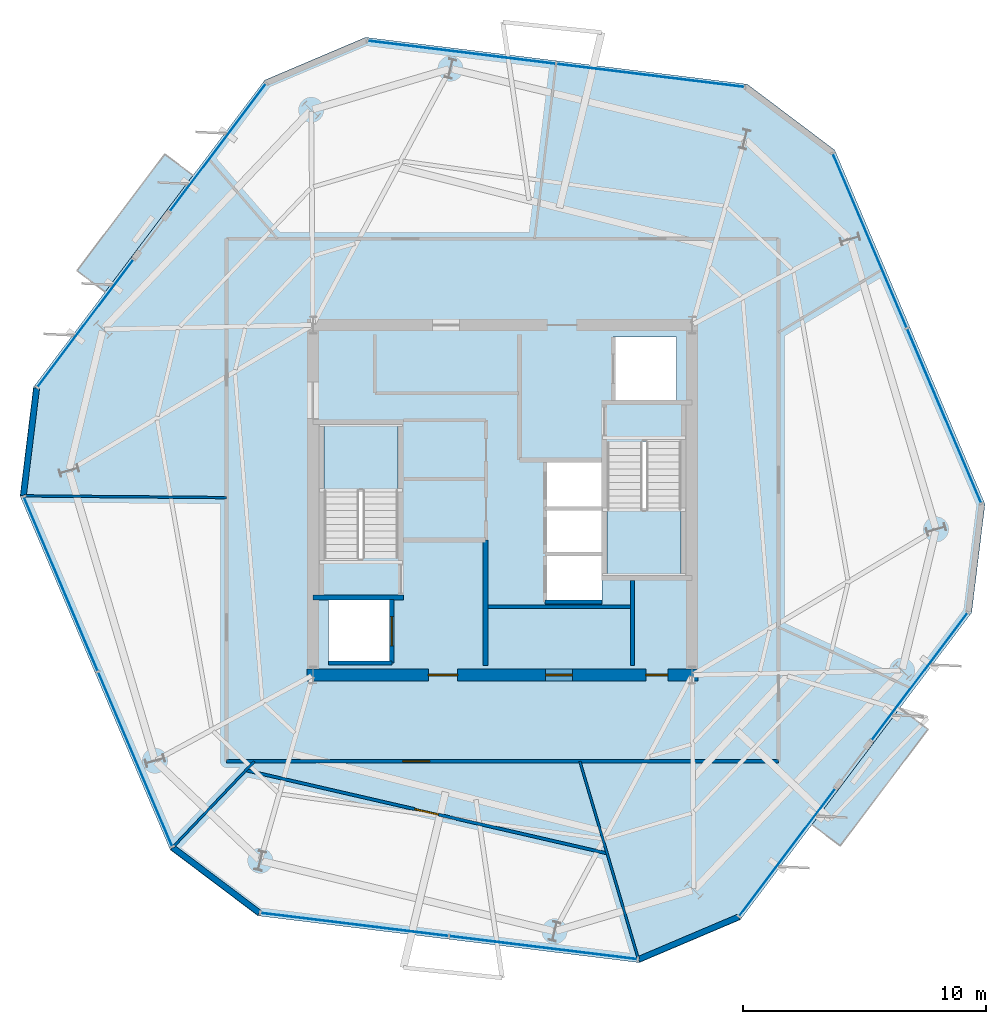
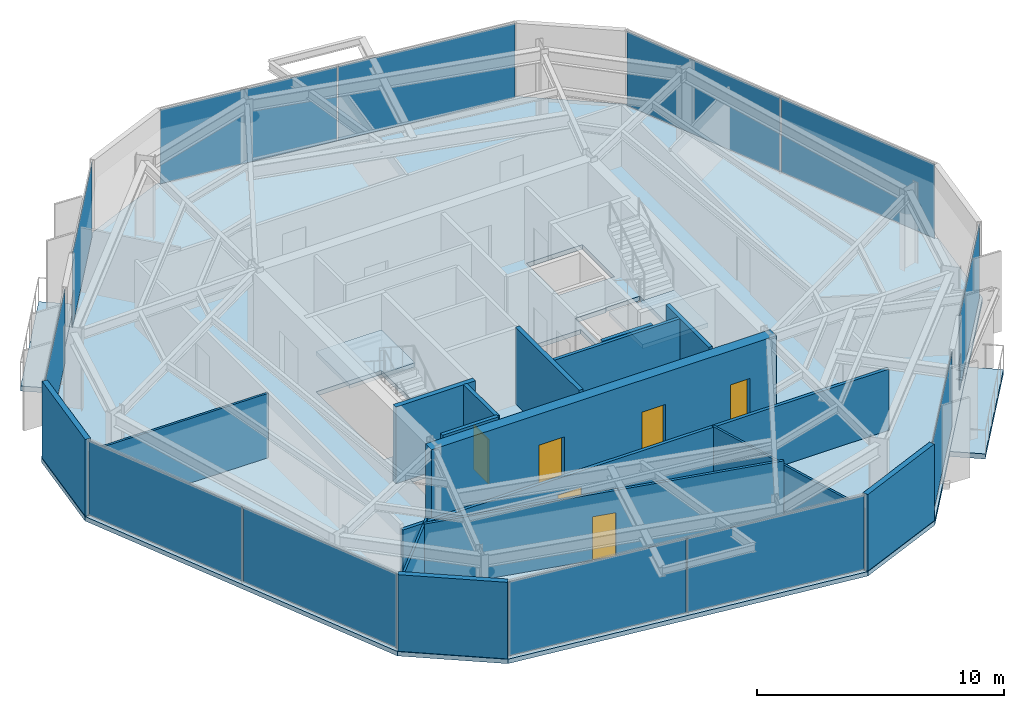
# One storey, part 7 of 12: 16 walls, 12 plates, 6 doors, 5 slabs, 6 openings, 10 elements without a shape of their own.
"""IFC4 building model written with IfcOpenShell, lengths in metres."""

from ifc_helpers import new_model, si_unit, direction, frame, frame_2d, origin, origin_2d, place, context, subcontext, project, spatial, polyline, rectangle, outline, extrude, material, layer, layer_set, type_object, element, fill, aggregate, save


model = new_model("IFC4")

# Units and contexts
model_context = context("Model", 3, precision=1e-05, world=origin(), true_north=direction((0.0, 1.0)))
body_context = subcontext(model_context, "Body", "Model", "MODEL_VIEW")
ifc_project = project(units=[si_unit("LENGTHUNIT", "METRE"), si_unit("AREAUNIT", "SQUARE_METRE"), si_unit("VOLUMEUNIT", "CUBIC_METRE"), si_unit("PLANEANGLEUNIT", "RADIAN"), si_unit("MASSUNIT", "GRAM", prefix="KILO")], contexts=[model_context])

# Site, building, storey
site_placement = place(None, origin())
site = spatial("IfcSite", under=ifc_project, at=site_placement, CompositionType="ELEMENT")
building_placement = place(site_placement, origin())
building = spatial("IfcBuilding", under=site, at=building_placement, Name="Kranzbogen Civic Tower", CompositionType="ELEMENT")
storey_placement = place(building_placement, frame((0.0, 0.0, 236.800048828125)))
storey = spatial("IfcBuildingStorey", under=building, at=storey_placement, Name="L57", CompositionType="ELEMENT", Elevation=236.800048828125)

# Slab
ifc_material_1 = material(Name="Concrete C40/50", Category="concrete")
ifc_layer_1 = layer(ifc_material_1, 0.219970703125, Name="Concrete C40/50")
ifc_layer_set_1 = layer_set([ifc_layer_1], Name="Concrete C40/50")
slab_type_1 = type_object("IfcSlabType", Name="Composite Upper Tower Floor Slab 220 mm", PredefinedType="FLOOR", material=ifc_layer_set_1)
slab_1_placement = place(storey_placement, frame((0.0, 0.0, -0.219970703125)))
element("IfcSlab", 1, at=slab_1_placement, inside=storey, type_object=slab_type_1, Name="L57 tower floor slab", PredefinedType="FLOOR", context=body_context, shape_type="SweptSolid", body=[
    extrude(outline(polyline([(35.069091796875, 42.10009765625), (19.366943359375, 44.028076171875), (15.22509765625, 42.27001953125), (5.705078125, 29.635986328125), (5.156005859375, 25.169921875), (11.3369140625, 10.60791015625), (14.930908203125, 7.89990234375), (30.633056640625, 5.971923828125), (34.77490234375, 7.72998046875), (44.294921875, 20.364013671875), (44.843994140625, 24.830078125), (38.6630859375, 39.39208984375), (35.069091796875, 42.10009765625)]), holes=[polyline([(17.85009765625, 20.89990234375), (20.449951171875, 20.89990234375), (20.449951171875, 18.300048828125), (17.85009765625, 18.300048828125), (17.85009765625, 20.89990234375)]), polyline([(29.10009765625, 22.699951171875), (29.10009765625, 20.800048828125), (26.75, 20.800048828125), (26.75, 22.699951171875), (29.10009765625, 22.699951171875)]), polyline([(29.10009765625, 24.64990234375), (29.10009765625, 22.77490234375), (26.75, 22.77490234375), (26.75, 24.64990234375), (26.75, 24.675048828125), (26.75, 26.550048828125), (29.10009765625, 26.550048828125), (29.10009765625, 24.675048828125), (29.10009765625, 24.64990234375)]), polyline([(29.300048828125, 27.340087890625), (30.75, 27.340087890625), (30.75, 27.39990234375), (32.35009765625, 27.39990234375), (32.35009765625, 21.89990234375), (29.300048828125, 21.89990234375), (29.300048828125, 27.340087890625)]), polyline([(20.699951171875, 22.659912109375), (19.25, 22.659912109375), (19.25, 22.60009765625), (17.64990234375, 22.60009765625), (17.64990234375, 28.10009765625), (20.699951171875, 28.10009765625), (20.699951171875, 22.659912109375)]), polyline([(32.14990234375, 31.699951171875), (32.14990234375, 29.10009765625), (29.550048828125, 29.10009765625), (29.550048828125, 31.699951171875), (32.14990234375, 31.699951171875)])]), origin(), (0.0, 0.0, 1.0), 0.219970703125),
])

# Curtain wall, plates
ifc_material_2 = material(Name="Pale Anodised Aluminium", Category="aluminium")
ifc_layer_2 = layer(ifc_material_2, 0.219970703125, Name="Pale Anodised Aluminium")
ifc_layer_set_2 = layer_set([ifc_layer_2], Name="Pale Anodised Aluminium")
curtain_wall_type = type_object("IfcCurtainWallType", Name="Zone 3 Stick Curtain Wall System CW-04", PredefinedType="USERDEFINED", material=ifc_layer_set_2)
curtain_wall_1_placement = place(storey_placement, origin())
curtain_wall_1 = element("IfcCurtainWall", 2, at=curtain_wall_1_placement, inside=storey, type_object=curtain_wall_type, Name="L57 curtain wall CW-L57-F1", ObjectType="STICK CURTAIN WALL", PredefinedType="USERDEFINED")
ifc_material_3 = material(Name="Low-E Triple Glazing Glass", Category="glass")
ifc_layer_3 = layer(ifc_material_3, 0.030029296875, Name="Low-E Triple Glazing Glass")
ifc_layer_set_3 = layer_set([ifc_layer_3], Name="Low-E Triple Glazing Glass")
plate_type = type_object("IfcPlateType", Name="Insulated Low-E Glazing Panel 30 mm", PredefinedType="CURTAIN_PANEL", material=ifc_layer_set_3)
plate_1_placement = place(storey_placement, frame((31.08544921875, 42.45947265625, 0.06005859375), z_axis=(0.0, 0.0, 1.0), x_axis=(-0.992541022906, 0.121911106341, 0.0)))
plate_1 = element("IfcPlate", 3, at=plate_1_placement, type_object=plate_type, Name="CW-04 panel 1.1", PredefinedType="CURTAIN_PANEL", context=body_context, shape_type="SweptSolid", body=[
    extrude(rectangle(XDim=7.76416015625, YDim=0.028076171875, at=origin_2d()), origin(), (0.0, 0.0, 1.0), 3.659912109375),
])
plate_2_placement = place(storey_placement, frame((23.319580078125, 43.413330078125, 0.06005859375), z_axis=(0.0, 0.0, 1.0), x_axis=(-0.992541022906, 0.121911106341, 0.0)))
plate_2 = element("IfcPlate", 4, at=plate_2_placement, type_object=plate_type, Name="CW-04 panel 2.1", PredefinedType="CURTAIN_PANEL", context=body_context, shape_type="SweptSolid", body=[
    extrude(rectangle(XDim=7.76416015625, YDim=0.028076171875, at=origin_2d()), origin(), (0.0, 0.0, 1.0), 3.659912109375),
])
aggregate(curtain_wall_1, [plate_1, plate_2])

# Curtain wall, plate
curtain_wall_2_placement = place(storey_placement, origin())
curtain_wall_2 = element("IfcCurtainWall", 5, at=curtain_wall_2_placement, inside=storey, type_object=curtain_wall_type, Name="L57 curtain wall CW-L57-F2-S1", ObjectType="STICK CURTAIN WALL", PredefinedType="USERDEFINED")
plate_3_placement = place(storey_placement, frame((13.2919921875, 39.490966796875, 0.06005859375), z_axis=(0.0, 0.0, 1.0), x_axis=(-0.601777999064, -0.798663408353, 0.0)))
plate_3 = element("IfcPlate", 6, at=plate_3_placement, type_object=plate_type, Name="CW-04 panel 1.1", PredefinedType="CURTAIN_PANEL", context=body_context, shape_type="SweptSolid", body=[
    extrude(rectangle(XDim=6.53369140625, YDim=0.028076171875, at=origin_2d()), origin(), (0.0, 0.0, 1.0), 3.659912109375),
])
aggregate(curtain_wall_2, [plate_3])

curtain_wall_3_placement = place(storey_placement, origin())
curtain_wall_3 = element("IfcCurtainWall", 7, at=curtain_wall_3_placement, inside=storey, type_object=curtain_wall_type, Name="L57 curtain wall CW-L57-F2-S2", ObjectType="STICK CURTAIN WALL", PredefinedType="USERDEFINED")
plate_4_placement = place(storey_placement, frame((7.843017578125, 32.260009765625, 0.06005859375), z_axis=(0.0, 0.0, 1.0), x_axis=(-0.601777999064, -0.798663408353, 0.0)))
plate_4 = element("IfcPlate", 8, at=plate_4_placement, type_object=plate_type, Name="CW-04 panel 1.1", PredefinedType="CURTAIN_PANEL", context=body_context, shape_type="SweptSolid", body=[
    extrude(rectangle(XDim=6.53369140625, YDim=0.028076171875, at=origin_2d()), origin(), (0.0, 0.0, 1.0), 3.659912109375),
])
aggregate(curtain_wall_3, [plate_4])

# Curtain wall, plates
curtain_wall_4_placement = place(storey_placement, origin())
curtain_wall_4 = element("IfcCurtainWall", 9, at=curtain_wall_4_placement, inside=storey, type_object=curtain_wall_type, Name="L57 curtain wall CW-L57-F3", ObjectType="STICK CURTAIN WALL", PredefinedType="USERDEFINED")
plate_5_placement = place(storey_placement, frame((6.836181640625, 21.54052734375, 0.06005859375), z_axis=(0.0, 0.0, 1.0), x_axis=(0.390705161325, -0.920515875428, 0.0)))
plate_5 = element("IfcPlate", 10, at=plate_5_placement, type_object=plate_type, Name="CW-04 panel 1.1", PredefinedType="CURTAIN_PANEL", context=body_context, shape_type="SweptSolid", body=[
    extrude(rectangle(XDim=7.763671875, YDim=0.028076171875, at=origin_2d()), origin(), (0.0, 0.0, 1.0), 3.659912109375),
])
plate_6_placement = place(storey_placement, frame((9.892822265625, 14.338623046875, 0.06005859375), z_axis=(0.0, 0.0, 1.0), x_axis=(0.390705161325, -0.920515875428, 0.0)))
plate_6 = element("IfcPlate", 11, at=plate_6_placement, type_object=plate_type, Name="CW-04 panel 2.1", PredefinedType="CURTAIN_PANEL", context=body_context, shape_type="SweptSolid", body=[
    extrude(rectangle(XDim=7.763671875, YDim=0.028076171875, at=origin_2d()), origin(), (0.0, 0.0, 1.0), 3.659912109375),
])
aggregate(curtain_wall_4, [plate_5, plate_6])

curtain_wall_5_placement = place(storey_placement, origin())
curtain_wall_5 = element("IfcCurtainWall", 12, at=curtain_wall_5_placement, inside=storey, type_object=curtain_wall_type, Name="L57 curtain wall CW-L57-F4", ObjectType="STICK CURTAIN WALL", PredefinedType="USERDEFINED")
plate_7_placement = place(storey_placement, frame((18.91455078125, 7.54052734375, 0.06005859375), z_axis=(0.0, 0.0, 1.0), x_axis=(0.992541022906, -0.121911106341, 0.0)))
plate_7 = element("IfcPlate", 13, at=plate_7_placement, type_object=plate_type, Name="CW-04 panel 1.1", PredefinedType="CURTAIN_PANEL", context=body_context, shape_type="SweptSolid", body=[
    extrude(rectangle(XDim=7.76416015625, YDim=0.028076171875, at=origin_2d()), origin(), (0.0, 0.0, 1.0), 3.659912109375),
])
plate_8_placement = place(storey_placement, frame((26.680419921875, 6.586669921875, 0.06005859375), z_axis=(0.0, 0.0, 1.0), x_axis=(0.992541022906, -0.121911106341, 0.0)))
plate_8 = element("IfcPlate", 14, at=plate_8_placement, type_object=plate_type, Name="CW-04 panel 2.1", PredefinedType="CURTAIN_PANEL", context=body_context, shape_type="SweptSolid", body=[
    extrude(rectangle(XDim=7.76416015625, YDim=0.028076171875, at=origin_2d()), origin(), (0.0, 0.0, 1.0), 3.659912109375),
])
aggregate(curtain_wall_5, [plate_7, plate_8])

# Curtain wall, plate
curtain_wall_6_placement = place(storey_placement, origin())
curtain_wall_6 = element("IfcCurtainWall", 15, at=curtain_wall_6_placement, inside=storey, type_object=curtain_wall_type, Name="L57 curtain wall CW-L57-F5-S1", ObjectType="STICK CURTAIN WALL", PredefinedType="USERDEFINED")
plate_9_placement = place(storey_placement, frame((36.7080078125, 10.509033203125, 0.06005859375), z_axis=(0.0, 0.0, 1.0), x_axis=(0.601777999064, 0.798663408353, 0.0)))
plate_9 = element("IfcPlate", 16, at=plate_9_placement, type_object=plate_type, Name="CW-04 panel 1.1", PredefinedType="CURTAIN_PANEL", context=body_context, shape_type="SweptSolid", body=[
    extrude(rectangle(XDim=6.53369140625, YDim=0.028076171875, at=origin_2d()), origin(), (0.0, 0.0, 1.0), 3.659912109375),
])
aggregate(curtain_wall_6, [plate_9])

curtain_wall_7_placement = place(storey_placement, origin())
curtain_wall_7 = element("IfcCurtainWall", 17, at=curtain_wall_7_placement, inside=storey, type_object=curtain_wall_type, Name="L57 curtain wall CW-L57-F5-S2", ObjectType="STICK CURTAIN WALL", PredefinedType="USERDEFINED")
plate_10_placement = place(storey_placement, frame((42.156982421875, 17.739990234375, 0.06005859375), z_axis=(0.0, 0.0, 1.0), x_axis=(0.601777999064, 0.798663408353, 0.0)))
plate_10 = element("IfcPlate", 18, at=plate_10_placement, type_object=plate_type, Name="CW-04 panel 1.1", PredefinedType="CURTAIN_PANEL", context=body_context, shape_type="SweptSolid", body=[
    extrude(rectangle(XDim=6.53369140625, YDim=0.028076171875, at=origin_2d()), origin(), (0.0, 0.0, 1.0), 3.659912109375),
])
aggregate(curtain_wall_7, [plate_10])

# Curtain wall, plates
curtain_wall_8_placement = place(storey_placement, origin())
curtain_wall_8 = element("IfcCurtainWall", 19, at=curtain_wall_8_placement, inside=storey, type_object=curtain_wall_type, Name="L57 curtain wall CW-L57-F6", ObjectType="STICK CURTAIN WALL", PredefinedType="USERDEFINED")
plate_11_placement = place(storey_placement, frame((43.163818359375, 28.45947265625, 0.06005859375), z_axis=(0.0, 0.0, 1.0), x_axis=(-0.390705161325, 0.920515875428, 0.0)))
plate_11 = element("IfcPlate", 20, at=plate_11_placement, type_object=plate_type, Name="CW-04 panel 1.1", PredefinedType="CURTAIN_PANEL", context=body_context, shape_type="SweptSolid", body=[
    extrude(rectangle(XDim=7.763671875, YDim=0.028076171875, at=origin_2d()), origin(), (0.0, 0.0, 1.0), 3.659912109375),
])
plate_12_placement = place(storey_placement, frame((40.107177734375, 35.661376953125, 0.06005859375), z_axis=(0.0, 0.0, 1.0), x_axis=(-0.390705161325, 0.920515875428, 0.0)))
plate_12 = element("IfcPlate", 21, at=plate_12_placement, type_object=plate_type, Name="CW-04 panel 2.1", PredefinedType="CURTAIN_PANEL", context=body_context, shape_type="SweptSolid", body=[
    extrude(rectangle(XDim=7.763671875, YDim=0.028076171875, at=origin_2d()), origin(), (0.0, 0.0, 1.0), 3.659912109375),
])
aggregate(curtain_wall_8, [plate_11, plate_12])

# Stair, slab
ifc_material_4 = material(Name="Precast concrete C40/50", Category="concrete")
stair_type_1 = type_object("IfcStairType", Name="Tower Core Pressurized Dogleg Stair 1450", PredefinedType="HALF_TURN_STAIR", material=ifc_material_4)
stair_1_placement = place(storey_placement, origin())
stair_1 = element("IfcStair", 22, at=stair_1_placement, inside=storey, type_object=stair_type_1, Name="L57 Tower Core Pressurized Stair 1", PredefinedType="HALF_TURN_STAIR")
ifc_layer_4 = layer(ifc_material_4, 0.199951171875, Name="Precast concrete C40/50")
ifc_layer_set_4 = layer_set([ifc_layer_4], Name="Precast concrete C40/50")
slab_type_2 = type_object("IfcSlabType", Name="Precast Concrete Stair Landing Slab 200 mm", PredefinedType="LANDING", material=ifc_layer_set_4)
slab_2_placement = place(storey_placement, frame((0.0, 0.0, 1.800048828125)))
slab_2 = element("IfcSlab", 23, at=slab_2_placement, type_object=slab_type_2, Name="ST-T1 landing 1", PredefinedType="LANDING", context=body_context, shape_type="SweptSolid", body=[
    extrude(outline(polyline([(20.699951171875, 25.39990234375), (20.699951171875, 28.10009765625), (17.64990234375, 28.10009765625), (17.64990234375, 25.39990234375), (20.699951171875, 25.39990234375)])), origin(), (0.0, 0.0, 1.0), 0.199951171875),
])
aggregate(stair_1, [slab_2])

stair_type_2 = type_object("IfcStairType", Name="Tower Core Secondary Dogleg Stair 1450", PredefinedType="HALF_TURN_STAIR", material=ifc_material_4)
stair_2_placement = place(storey_placement, origin())
stair_2 = element("IfcStair", 24, at=stair_2_placement, inside=storey, type_object=stair_type_2, Name="L57 Tower Core Pressurized Stair 2", PredefinedType="HALF_TURN_STAIR")
slab_3_placement = place(storey_placement, frame((0.0, 0.0, 1.800048828125)))
slab_3 = element("IfcSlab", 25, at=slab_3_placement, type_object=slab_type_2, Name="ST-T2 landing 1", PredefinedType="LANDING", context=body_context, shape_type="SweptSolid", body=[
    extrude(outline(polyline([(29.300048828125, 24.60009765625), (29.300048828125, 21.89990234375), (32.35009765625, 21.89990234375), (32.35009765625, 24.60009765625), (29.300048828125, 24.60009765625)])), origin(), (0.0, 0.0, 1.0), 0.199951171875),
])
aggregate(stair_2, [slab_3])

# Slabs
ifc_layer_5 = layer(ifc_material_1, 0.25, Name="Concrete C40/50")
ifc_layer_set_5 = layer_set([ifc_layer_5], Name="Concrete C40/50")
slab_type_3 = type_object("IfcSlabType", Name="Tree Balcony Cantilevered Slab 250 mm", PredefinedType="FLOOR", material=ifc_layer_set_5)
slab_4_placement = place(storey_placement, frame((0.0, 0.0, -0.25)))
element("IfcSlab", 26, at=slab_4_placement, inside=storey, type_object=slab_type_3, Name="L57 cantilevered tree balcony L57-TB1", PredefinedType="FLOOR", context=body_context, shape_type="SweptSolid", body=[
    extrude(outline(polyline([(12.27001953125, 38.34912109375), (8.658935546875, 33.556884765625), (7.5009765625, 34.429931640625), (11.112060546875, 39.221923828125), (12.27001953125, 38.34912109375)])), origin(), (0.0, 0.0, 1.0), 0.25),
])
slab_5_placement = place(storey_placement, frame((0.0, 0.0, -0.25)))
element("IfcSlab", 27, at=slab_5_placement, inside=storey, type_object=slab_type_3, Name="L57 cantilevered tree balcony L57-TB2", PredefinedType="FLOOR", context=body_context, shape_type="SweptSolid", body=[
    extrude(outline(polyline([(37.72998046875, 11.65087890625), (41.341064453125, 16.443115234375), (42.4990234375, 15.570068359375), (38.887939453125, 10.778076171875), (37.72998046875, 11.65087890625)])), origin(), (0.0, 0.0, 1.0), 0.25),
])

# Wall
ifc_material_5 = material(Name="Double-Stud Acoustic Gypsum Partition")
ifc_layer_6 = layer(ifc_material_5, 0.14990234375, Name="Double-Stud Acoustic Gypsum Partition")
ifc_layer_set_6 = layer_set([ifc_layer_6], Name="Double-Stud Acoustic Gypsum Partition")
wall_type_1 = type_object("IfcWallType", Name="Acoustic Corridor and Clinical Partition 150 mm", PredefinedType="PARTITIONING", material=ifc_layer_set_6)
wall_1_placement = place(storey_placement, frame((24.39990234375, 20.610107421875, 0.0), z_axis=(0.0, 0.0, 1.0), x_axis=(1.0, 0.0, 0.0)))
element("IfcWall", 28, at=wall_1_placement, inside=storey, type_object=wall_type_1, Name="L57 records zone North wall", PredefinedType="PARTITIONING", context=body_context, shape_type="SweptSolid", body=[
    extrude(rectangle(XDim=5.900146484375, YDim=0.14990234375, at=frame_2d((2.9501953125, 0.0))), origin(), (0.0, 0.0, 1.0), 3.780029296875),
])

# Wall, opening, door
wall_2_placement = place(storey_placement, frame((36.35009765625, 14.25, 0.0), z_axis=(0.0, 0.0, 1.0), x_axis=(-1.0, 0.0, 0.0)))
wall_2 = element("IfcWall", 29, at=wall_2_placement, inside=storey, type_object=wall_type_1, Name="L57 corridor partition 03", PredefinedType="PARTITIONING", context=body_context, shape_type="SweptSolid", body=[
    extrude(rectangle(XDim=22.7001953125, YDim=0.14990234375, at=frame_2d((11.35009765625, 0.0))), origin(), (0.0, 0.0, 1.0), 3.02001953125),
])
opening_1_placement = place(wall_2_placement, frame((14.347900390625, 0.0, 0.0)))
opening_1 = element("IfcOpeningElement", 30, at=opening_1_placement, cuts=wall_2, Name="Opening D-COR60", PredefinedType="OPENING", context=body_context, shape_type="SweptSolid", body=[
    extrude(rectangle(XDim=1.10009765625, YDim=2.199951171875, at=frame_2d((0.550048828125, 1.10009765625))), frame((0.0, 0.0849609375, 0.0), z_axis=(0.0, -1.0, 0.0), x_axis=(1.0, 0.0, 0.0)), (0.0, 0.0, 1.0), 0.169921875),
])
ifc_material_6 = material(Name="Oak Timber and Fire Core", Category="wood")
door_type_1 = type_object("IfcDoorType", Name="Corridor Acoustic Fire Door 1100x2200", OperationType="NOTDEFINED", PredefinedType="DOOR", material=ifc_material_6)
door_1_placement = place(opening_1_placement, origin())
door_1 = element("IfcDoor", 31, at=door_1_placement, inside=storey, type_object=door_type_1, Name="L57 Executive Research Study door", OperationType="SINGLE_SWING_RIGHT", OverallHeight=2.199951171875, OverallWidth=1.10009765625, PredefinedType="DOOR", context=body_context, shape_type="SweptSolid", body=[
    extrude(rectangle(XDim=1.10009765625, YDim=2.199951171875, at=frame_2d((0.550048828125, 1.10009765625))), frame((0.0, 0.02490234375, 0.0), z_axis=(0.0, -1.0, 0.0), x_axis=(1.0, 0.0, 0.0)), (0.0, 0.0, 1.0), 0.050048828125),
])
fill(opening_1, door_1)

ifc_material_7 = material(Name="Insulated Metal-Stud Gypsum Partition")
ifc_layer_7 = layer(ifc_material_7, 0.125, Name="Insulated Metal-Stud Gypsum Partition")
ifc_layer_set_7 = layer_set([ifc_layer_7], Name="Insulated Metal-Stud Gypsum Partition")
wall_type_2 = type_object("IfcWallType", Name="Acoustic Inter-Room Partition 125 mm", PredefinedType="PARTITIONING", material=ifc_layer_set_7)
wall_3_placement = place(storey_placement, frame((14.462890625, 13.87890625, 0.0), z_axis=(0.0, 0.0, 1.0), x_axis=(0.974546244814, -0.224186566768, 0.0)))
wall_3 = element("IfcWall", 32, at=wall_3_placement, inside=storey, type_object=wall_type_2, Name="L57 suite chord partition 01", PredefinedType="PARTITIONING", context=body_context, shape_type="SweptSolid", body=[
    extrude(rectangle(XDim=15.210205078125, YDim=0.125, at=frame_2d((7.60498046875, 0.0))), origin(), (0.0, 0.0, 1.0), 3.25),
])
opening_2_placement = place(wall_3_placement, frame((7.10498046875, 0.0, 0.0)))
opening_2 = element("IfcOpeningElement", 33, at=opening_2_placement, cuts=wall_3, Name="Opening D-OFC10", PredefinedType="OPENING", context=body_context, shape_type="SweptSolid", body=[
    extrude(rectangle(XDim=1.0, YDim=2.14990234375, at=frame_2d((0.5, 1.074951171875))), frame((0.0, 0.072509765625, 0.0), z_axis=(0.0, -1.0, 0.0), x_axis=(1.0, 0.0, 0.0)), (0.0, 0.0, 1.0), 0.14501953125),
])
ifc_material_8 = material(Name="Oak Timber Veneer", Category="wood")
door_type_2 = type_object("IfcDoorType", Name="Standard Office Acoustic Door 1000x2150", OperationType="NOTDEFINED", PredefinedType="DOOR", material=ifc_material_8)
door_2_placement = place(opening_2_placement, origin())
door_2 = element("IfcDoor", 34, at=door_2_placement, inside=storey, type_object=door_type_2, Name="L57 Protocol Dining Room door", OperationType="SINGLE_SWING_LEFT", OverallHeight=2.14990234375, OverallWidth=1.0, PredefinedType="DOOR", context=body_context, shape_type="SweptSolid", body=[
    extrude(rectangle(XDim=1.0, YDim=2.14990234375, at=frame_2d((0.5, 1.074951171875))), frame((0.0, 0.02490234375, 0.0), z_axis=(0.0, -1.0, 0.0), x_axis=(1.0, 0.0, 0.0)), (0.0, 0.0, 1.0), 0.050048828125),
])
fill(opening_2, door_2)

# Wall, openings, doors
ifc_material_9 = material(Name="Concrete C45/55", Category="concrete")
ifc_layer_8 = layer(ifc_material_9, 0.5, Name="Concrete C45/55")
ifc_layer_set_8 = layer_set([ifc_layer_8], Name="Concrete C45/55")
wall_type_3 = type_object("IfcWallType", Name="Central Core Shear Wall 500 mm", PredefinedType="SHEAR", material=ifc_layer_set_8)
wall_4_placement = place(storey_placement, frame((16.949951171875, 17.800048828125, 0.0), z_axis=(0.0, 0.0, 1.0), x_axis=(1.0, 0.0, 0.0)))
wall_4 = element("IfcWall", 35, at=wall_4_placement, inside=storey, type_object=wall_type_3, Name="L57 central core South shear wall", PredefinedType="SHEAR", context=body_context, shape_type="SweptSolid", body=[
    extrude(rectangle(XDim=16.10009765625, YDim=0.5, at=frame_2d((8.050048828125, 0.0))), origin(), (0.0, 0.0, 1.0), 3.780029296875),
])
opening_3_placement = place(wall_4_placement, frame((5.0, 0.0, 0.0)))
opening_3 = element("IfcOpeningElement", 36, at=opening_3_placement, cuts=wall_4, Name="Opening D-EX120", PredefinedType="OPENING", context=body_context, shape_type="SweptSolid", body=[
    extrude(rectangle(XDim=1.199951171875, YDim=2.25, at=frame_2d((0.60009765625, 1.125))), frame((0.0, 0.260009765625, 0.0), z_axis=(0.0, -1.0, 0.0), x_axis=(1.0, 0.0, 0.0)), (0.0, 0.0, 1.0), 0.52001953125),
])
opening_4_placement = place(wall_4_placement, frame((13.949951171875, 0.0, 0.0)))
opening_4 = element("IfcOpeningElement", 37, at=opening_4_placement, cuts=wall_4, Name="Opening D-WC90", PredefinedType="OPENING", context=body_context, shape_type="SweptSolid", body=[
    extrude(rectangle(XDim=0.89990234375, YDim=2.10009765625, at=frame_2d((0.449951171875, 1.050048828125))), frame((0.0, 0.260009765625, 0.0), z_axis=(0.0, -1.0, 0.0), x_axis=(1.0, 0.0, 0.0)), (0.0, 0.0, 1.0), 0.52001953125),
])
opening_5_placement = place(wall_4_placement, frame((9.824951171875, 0.0, 0.0)))
opening_5 = element("IfcOpeningElement", 38, at=opening_5_placement, cuts=wall_4, Name="Opening D-COR60", PredefinedType="OPENING", context=body_context, shape_type="SweptSolid", body=[
    extrude(rectangle(XDim=1.10009765625, YDim=2.199951171875, at=frame_2d((0.550048828125, 1.10009765625))), frame((0.0, 0.260009765625, 0.0), z_axis=(0.0, -1.0, 0.0), x_axis=(1.0, 0.0, 0.0)), (0.0, 0.0, 1.0), 0.52001953125),
])
door_3_placement = place(opening_5_placement, origin())
door_3 = element("IfcDoor", 39, at=door_3_placement, inside=storey, type_object=door_type_1, Name="L57 REC1 archive room door", OperationType="SINGLE_SWING_LEFT", OverallHeight=2.199951171875, OverallWidth=1.10009765625, PredefinedType="DOOR", context=body_context, shape_type="SweptSolid", body=[
    extrude(rectangle(XDim=1.10009765625, YDim=2.199951171875, at=frame_2d((0.550048828125, 1.10009765625))), frame((0.0, 0.02490234375, 0.0), z_axis=(0.0, -1.0, 0.0), x_axis=(1.0, 0.0, 0.0)), (0.0, 0.0, 1.0), 0.050048828125),
])
fill(opening_5, door_3)
ifc_material_10 = material(Name="Steel S355", Category="steel")
door_type_3 = type_object("IfcDoorType", Name="Exit Passageway Fire Door 1200x2250", OperationType="NOTDEFINED", PredefinedType="DOOR", material=ifc_material_10)
door_4_placement = place(opening_3_placement, origin())
door_4 = element("IfcDoor", 40, at=door_4_placement, inside=storey, type_object=door_type_3, Name="L57 West firefighting lobby corridor door", OperationType="SINGLE_SWING_RIGHT", OverallHeight=2.25, OverallWidth=1.199951171875, PredefinedType="DOOR", context=body_context, shape_type="SweptSolid", body=[
    extrude(rectangle(XDim=1.199951171875, YDim=2.25, at=frame_2d((0.60009765625, 1.125))), frame((0.0, 0.02490234375, 0.0), z_axis=(0.0, -1.0, 0.0), x_axis=(1.0, 0.0, 0.0)), (0.0, 0.0, 1.0), 0.050048828125),
])
fill(opening_3, door_4)
ifc_material_11 = material(Name="Moisture-Resistant Laminate")
door_type_4 = type_object("IfcDoorType", Name="Standard Restroom and Store Door 900x2100", OperationType="NOTDEFINED", PredefinedType="DOOR", material=ifc_material_11)
door_5_placement = place(opening_4_placement, origin())
door_5 = element("IfcDoor", 41, at=door_5_placement, inside=storey, type_object=door_type_4, Name="L57 East electrical riser access door", OperationType="SINGLE_SWING_RIGHT", OverallHeight=2.10009765625, OverallWidth=0.89990234375, PredefinedType="DOOR", context=body_context, shape_type="SweptSolid", body=[
    extrude(rectangle(XDim=0.89990234375, YDim=2.10009765625, at=frame_2d((0.449951171875, 1.050048828125))), frame((0.0, 0.02490234375, 0.0), z_axis=(0.0, -1.0, 0.0), x_axis=(1.0, 0.0, 0.0)), (0.0, 0.0, 1.0), 0.050048828125),
])
fill(opening_4, door_5)

# Walls
ifc_layer_9 = layer(ifc_material_9, 0.219970703125, Name="Concrete C45/55")
ifc_layer_set_9 = layer_set([ifc_layer_9], Name="Concrete C45/55")
wall_type_4 = type_object("IfcWallType", Name="Core Internal Stair Structural Wall 220 mm", PredefinedType="SOLIDWALL", material=ifc_layer_set_9)
wall_5_placement = place(storey_placement, frame((17.199951171875, 20.989990234375, 0.0), z_axis=(0.0, 0.0, 1.0), x_axis=(1.0, 0.0, 0.0)))
element("IfcWall", 42, at=wall_5_placement, inside=storey, type_object=wall_type_4, Name="L57 ST-T1 South structural stair wall", PredefinedType="SOLIDWALL", context=body_context, shape_type="SweptSolid", body=[
    extrude(rectangle(XDim=3.719970703125, YDim=0.219970703125, at=frame_2d((1.85986328125, 0.0))), origin(), (0.0, 0.0, 1.0), 3.780029296875),
])
ifc_material_12 = material(Name="Demountable Aluminium and Gypsum Partition", Category="aluminium")
ifc_layer_10 = layer(ifc_material_12, 0.10009765625, Name="Demountable Aluminium and Gypsum Partition")
ifc_layer_set_10 = layer_set([ifc_layer_10], Name="Demountable Aluminium and Gypsum Partition")
wall_type_5 = type_object("IfcWallType", Name="Demountable Office Partition 100 mm", PredefinedType="MOVABLE", material=ifc_layer_set_10)
wall_6_placement = place(storey_placement, frame((13.64990234375, 25.096923828125, 0.0), z_axis=(0.0, 0.0, 1.0), x_axis=(-0.999962678342, 0.008639555708, 0.0)))
element("IfcWall", 43, at=wall_6_placement, inside=storey, type_object=wall_type_5, Name="L57 radial room partition 03", PredefinedType="MOVABLE", context=body_context, shape_type="SweptSolid", body=[
    extrude(rectangle(XDim=8.336181640625, YDim=0.10009765625, at=frame_2d((4.16796875, 0.0))), origin(), (0.0, 0.0, 1.0), 3.179931640625),
])
wall_7_placement = place(storey_placement, frame((14.794921875, 14.25, 0.0), z_axis=(0.0, 0.0, 1.0), x_axis=(-0.688547593197, -0.725191155422, 0.0)))
element("IfcWall", 44, at=wall_7_placement, inside=storey, type_object=wall_type_5, Name="L57 radial room partition 04", PredefinedType="MOVABLE", context=body_context, shape_type="SweptSolid", body=[
    extrude(rectangle(XDim=4.86376953125, YDim=0.10009765625, at=frame_2d((2.431884765625, 0.0))), origin(), (0.0, 0.0, 1.0), 3.179931640625),
])
wall_8_placement = place(storey_placement, frame((28.181884765625, 14.25, 0.0), z_axis=(0.0, 0.0, 1.0), x_axis=(0.28390490375, -0.958852442051, 0.0)))
element("IfcWall", 45, at=wall_8_placement, inside=storey, type_object=wall_type_5, Name="L57 radial room partition 05", PredefinedType="MOVABLE", context=body_context, shape_type="SweptSolid", body=[
    extrude(rectangle(XDim=8.474609375, YDim=0.10009765625, at=frame_2d((4.2373046875, 0.0))), origin(), (0.0, 0.0, 1.0), 3.050048828125),
])
ifc_material_13 = material(Name="Gypsum Fireboard and Concrete Block", Category="concrete")
ifc_layer_11 = layer(ifc_material_13, 0.199951171875, Name="Gypsum Fireboard and Concrete Block")
ifc_layer_set_11 = layer_set([ifc_layer_11], Name="Gypsum Fireboard and Concrete Block")
wall_type_6 = type_object("IfcWallType", Name="Fire-Rated Exit Passageway and Stair Wall 200 mm", PredefinedType="PARTITIONING", material=ifc_layer_set_11)
wall_9_placement = place(storey_placement, frame((24.300048828125, 18.199951171875, 0.0), z_axis=(0.0, 0.0, 1.0), x_axis=(0.0, 1.0, 0.0)))
element("IfcWall", 46, at=wall_9_placement, inside=storey, type_object=wall_type_6, Name="L57 West firefighting lobby East wall", PredefinedType="PARTITIONING", context=body_context, shape_type="SweptSolid", body=[
    extrude(rectangle(XDim=5.150146484375, YDim=0.199951171875, at=frame_2d((2.5751953125, 0.0))), origin(), (0.0, 0.0, 1.0), 3.780029296875),
])
ifc_material_14 = material(Name="Gypsum Fireboard Shaftliner")
ifc_layer_12 = layer(ifc_material_14, 0.175048828125, Name="Gypsum Fireboard Shaftliner")
ifc_layer_set_12 = layer_set([ifc_layer_12], Name="Gypsum Fireboard Shaftliner")
wall_type_7 = type_object("IfcWallType", Name="Fire-Rated Lift and Service Shaft Wall 175 mm", PredefinedType="PARTITIONING", material=ifc_layer_set_12)
wall_10_placement = place(storey_placement, frame((30.35009765625, 18.199951171875, 0.0), z_axis=(0.0, 0.0, 1.0), x_axis=(0.0, 1.0, 0.0)))
element("IfcWall", 47, at=wall_10_placement, inside=storey, type_object=wall_type_7, Name="L57 East core riser West wall", PredefinedType="PARTITIONING", context=body_context, shape_type="SweptSolid", body=[
    extrude(rectangle(XDim=3.47998046875, YDim=0.175048828125, at=frame_2d((1.739990234375, 0.0))), origin(), (0.0, 0.0, 1.0), 3.780029296875),
])
wall_11_placement = place(storey_placement, frame((26.75, 20.800048828125, 0.0), z_axis=(0.0, 0.0, 1.0), x_axis=(1.0, 0.0, 0.0)))
element("IfcWall", 48, at=wall_11_placement, inside=storey, type_object=wall_type_7, Name="L57 lift HP-01 side wall", PredefinedType="PARTITIONING", context=body_context, shape_type="SweptSolid", body=[
    extrude(rectangle(XDim=2.35009765625, YDim=0.175048828125, at=frame_2d((1.175048828125, 0.0))), origin(), (0.0, 0.0, 1.0), 3.780029296875),
])

# Wall, opening, door
wall_12_placement = place(storey_placement, frame((20.449951171875, 18.300048828125, 0.0), z_axis=(0.0, 0.0, 1.0), x_axis=(0.0, 1.0, 0.0)))
wall_12 = element("IfcWall", 49, at=wall_12_placement, inside=storey, type_object=wall_type_7, Name="L57 lift FF-01 landing wall", PredefinedType="PARTITIONING", context=body_context, shape_type="SweptSolid", body=[
    extrude(rectangle(XDim=2.599853515625, YDim=0.175048828125, at=frame_2d((1.2998046875, 0.0))), origin(), (0.0, 0.0, 1.0), 3.780029296875),
])
opening_6_placement = place(wall_12_placement, frame((0.699951171875, 0.0, 0.0)))
opening_6 = element("IfcOpeningElement", 50, at=opening_6_placement, cuts=wall_12, Name="Opening LD-FF-01", PredefinedType="OPENING", context=body_context, shape_type="SweptSolid", body=[
    extrude(rectangle(XDim=1.199951171875, YDim=2.199951171875, at=frame_2d((0.60009765625, 1.10009765625))), frame((0.0, 0.09765625, 0.0), z_axis=(0.0, -1.0, 0.0), x_axis=(1.0, 0.0, 0.0)), (0.0, 0.0, 1.0), 0.195068359375),
])
door_type_5 = type_object("IfcDoorType", Name="Firefighting and Stretcher Lift Sliding Landing Door 1200x2200", OperationType="DOUBLE_DOOR_SLIDING", PredefinedType="DOOR", material=ifc_material_2)
door_6_placement = place(opening_6_placement, origin())
door_6 = element("IfcDoor", 51, at=door_6_placement, inside=storey, type_object=door_type_5, Name="L57 lift FF-01 sliding landing door", OperationType="DOUBLE_DOOR_SLIDING", OverallHeight=2.199951171875, OverallWidth=1.199951171875, PredefinedType="DOOR", context=body_context, shape_type="SweptSolid", body=[
    extrude(rectangle(XDim=1.199951171875, YDim=2.199951171875, at=frame_2d((0.60009765625, 1.10009765625))), frame((0.0, 0.02490234375, 0.0), z_axis=(0.0, -1.0, 0.0), x_axis=(1.0, 0.0, 0.0)), (0.0, 0.0, 1.0), 0.050048828125),
])
fill(opening_6, door_6)

# Walls
wall_13_placement = place(storey_placement, frame((17.85009765625, 18.300048828125, 0.0), z_axis=(0.0, 0.0, 1.0), x_axis=(1.0, 0.0, 0.0)))
element("IfcWall", 52, at=wall_13_placement, inside=storey, type_object=wall_type_7, Name="L57 lift FF-01 side wall", PredefinedType="PARTITIONING", context=body_context, shape_type="SweptSolid", body=[
    extrude(rectangle(XDim=2.599853515625, YDim=0.175048828125, at=frame_2d((1.2998046875, 0.0))), origin(), (0.0, 0.0, 1.0), 3.780029296875),
])
ifc_layer_13 = layer(ifc_material_2, 0.239990234375, Name="Pale Anodised Aluminium")
ifc_layer_set_13 = layer_set([ifc_layer_13], Name="Pale Anodised Aluminium")
wall_type_8 = type_object("IfcWallType", Name="Insulated Aluminium Facade Portal Wall 240 mm", PredefinedType="STANDARD", material=ifc_layer_set_13)
wall_14_placement = place(storey_placement, frame((5.841064453125, 29.60302734375, 0.0), z_axis=(0.0, 0.0, 1.0), x_axis=(-0.122030142036, -0.99252639483, 0.0)))
element("IfcWall", 53, at=wall_14_placement, inside=storey, type_object=wall_type_8, Name="L57 chamfered corner facade spandrel 2", PredefinedType="STANDARD", context=body_context, shape_type="SweptSolid", body=[
    extrude(rectangle(XDim=4.467529296875, YDim=0.239990234375, at=frame_2d((2.23388671875, 0.0))), origin(), (0.0, 0.0, 1.0), 3.780029296875),
])
wall_15_placement = place(storey_placement, frame((11.43310546875, 10.7099609375, 0.0), z_axis=(0.0, 0.0, 1.0), x_axis=(0.798673666817, -0.601764384069, 0.0)))
element("IfcWall", 54, at=wall_15_placement, inside=storey, type_object=wall_type_8, Name="L57 chamfered corner facade spandrel 3", PredefinedType="STANDARD", context=body_context, shape_type="SweptSolid", body=[
    extrude(rectangle(XDim=4.468505859375, YDim=0.239990234375, at=frame_2d((2.234375, 0.0))), origin(), (0.0, 0.0, 1.0), 3.780029296875),
])
wall_16_placement = place(storey_placement, frame((30.593017578125, 6.10595703125, 0.0), z_axis=(0.0, 0.0, 1.0), x_axis=(0.92048770115, 0.390771534316, 0.0)))
element("IfcWall", 55, at=wall_16_placement, inside=storey, type_object=wall_type_8, Name="L57 chamfered corner facade spandrel 4", PredefinedType="STANDARD", context=body_context, shape_type="SweptSolid", body=[
    extrude(rectangle(XDim=4.46826171875, YDim=0.239990234375, at=frame_2d((2.234130859375, 0.0))), origin(), (0.0, 0.0, 1.0), 3.780029296875),
])

save(model, "model.ifc")
